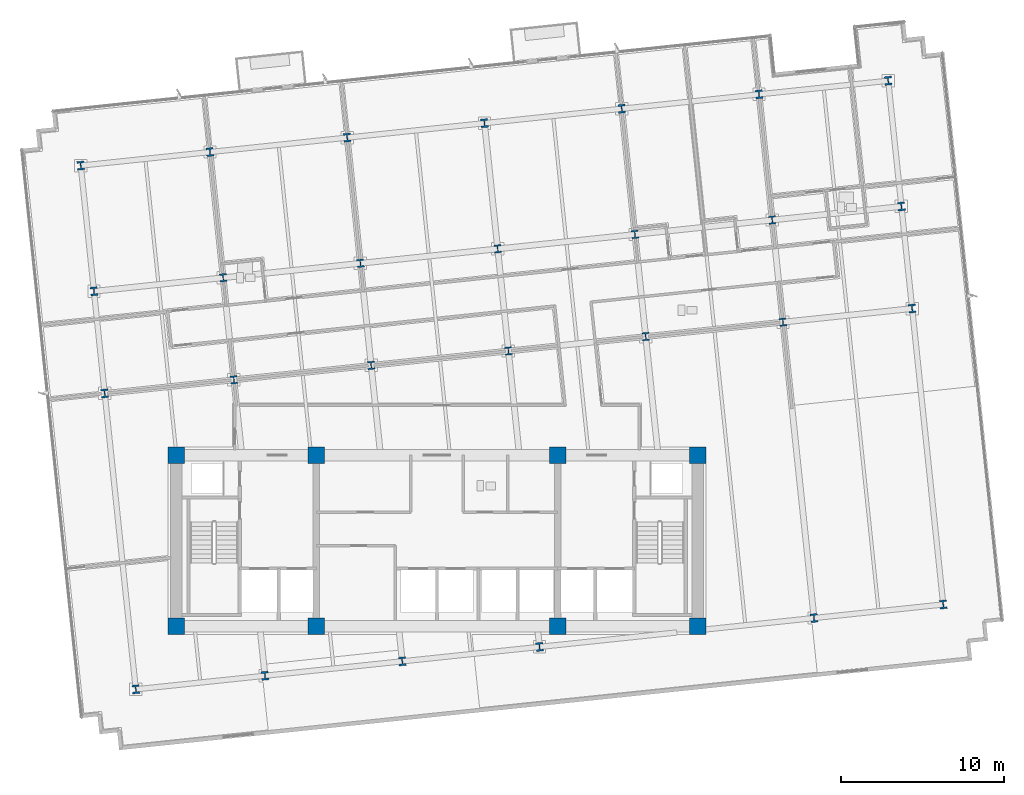
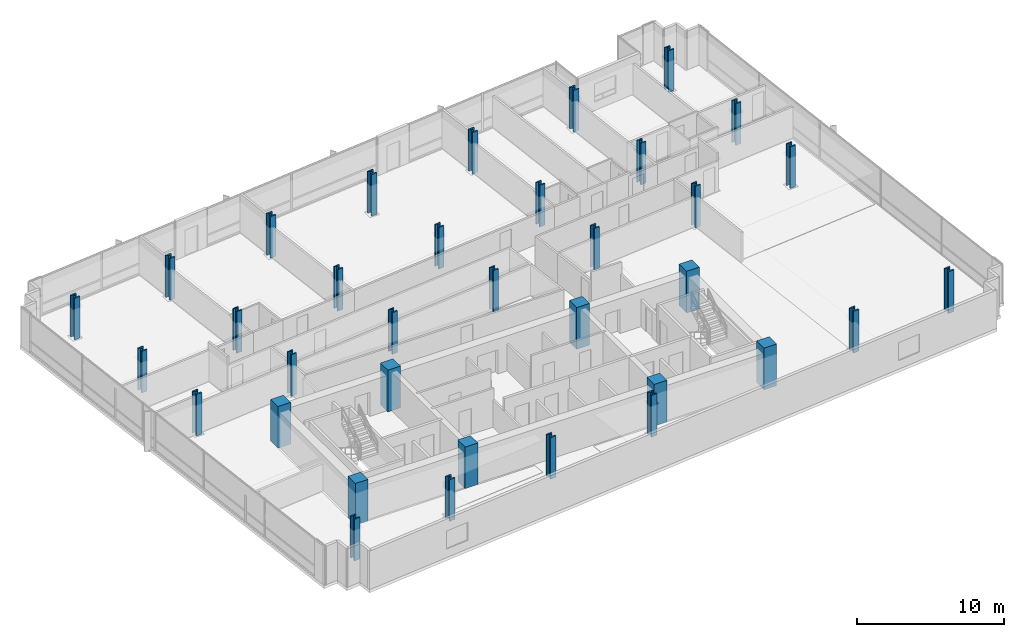
# One storey, part 1 of 20: 35 columns.
"""IFC4 building model written with IfcOpenShell, lengths in metres."""

from ifc_helpers import new_model, si_unit, direction, frame, origin, origin_2d, place, context, subcontext, project, spatial, rectangle, i_section, extrude, material, material_profile, profile_set, type_object, element, save


model = new_model("IFC4")

# Units and contexts
model_context = context("Model", 3, precision=1e-05, world=origin(), true_north=direction((0.0, 1.0)))
body_context = subcontext(model_context, "Body", "Model", "MODEL_VIEW")
ifc_project = project(units=[si_unit("LENGTHUNIT", "METRE"), si_unit("AREAUNIT", "SQUARE_METRE"), si_unit("VOLUMEUNIT", "CUBIC_METRE"), si_unit("PLANEANGLEUNIT", "RADIAN"), si_unit("MASSUNIT", "GRAM", prefix="KILO")], contexts=[model_context])

# Site, building, storey
site_placement = place(None, origin())
site = spatial("IfcSite", under=ifc_project, at=site_placement, CompositionType="ELEMENT")
building_placement = place(site_placement, origin())
building = spatial("IfcBuilding", under=site, at=building_placement, Name="Solmavex Isthmus Hotel", CompositionType="ELEMENT")
storey_placement = place(building_placement, frame((0.0, 0.0, 109.800048828125)))
storey = spatial("IfcBuildingStorey", under=building, at=storey_placement, Name="L29", CompositionType="ELEMENT", Elevation=109.800048828125)

# Columns
ifc_material_1 = material(Name="Concrete C60/75", Category="concrete")
ifc_material_profile_1 = material_profile(ifc_material_1, rectangle(XDim=1.0, YDim=1.0, at=origin_2d()), Name="RC1000X1000")
ifc_profile_set_1 = profile_set([ifc_material_profile_1], Name="Concrete C60/75")
column_type_1 = type_object("IfcColumnType", Name="COL-CC-1000", PredefinedType="COLUMN", material=ifc_profile_set_1)
for number, where, z_axis, x_axis, name in (
    (1, (-16.0, -13.0, 0.0), (0.0, 0.0, 1.0), (1.0, 0.0, 0.0), "Core Pilaster CC-SW L29"),
    (2, (-7.39990234375, -13.0, 0.0), (0.0, 0.0, 1.0), (1.0, 0.0, 0.0), "Core Pilaster CC-S1 L29"),
    (3, (7.39990234375, -13.0, 0.0), (0.0, 0.0, 1.0), (1.0, 0.0, 0.0), "Core Pilaster CC-S2 L29"),
    (4, (16.0, -13.0, 0.0), (0.0, 0.0, 1.0), (1.0, 0.0, 0.0), "Core Pilaster CC-SE L29"),
    (5, (-16.0, -2.5, 0.0), (0.0, 0.0, 1.0), (1.0, 0.0, 0.0), "Core Pilaster CC-NW L29"),
    (6, (-7.39990234375, -2.5, 0.0), (0.0, 0.0, 1.0), (1.0, 0.0, 0.0), "Core Pilaster CC-N1 L29"),
    (7, (7.39990234375, -2.5, 0.0), (0.0, 0.0, 1.0), (1.0, 0.0, 0.0), "Core Pilaster CC-N2 L29"),
    (8, (16.0, -2.5, 0.0), (0.0, 0.0, 1.0), (1.0, 0.0, 0.0), "Core Pilaster CC-NE L29"),
):
    element("IfcColumn", number, at=place(storey_placement, frame(where, z_axis=z_axis, x_axis=x_axis)), inside=storey, type_object=column_type_1, Name=name, PredefinedType="COLUMN", context=body_context, shape_type="SweptSolid", body=[
        extrude(rectangle(XDim=1.0, YDim=1.0, at=origin_2d()), origin(), (0.0, 0.0, 1.0), 3.449951171875),
    ])
ifc_material_2 = material(Name="Steel ASTM A913 Grade 65", Category="steel")
ifc_material_profile_2 = material_profile(ifc_material_2, i_section(OverallWidth=0.43212890625, OverallDepth=0.497802734375, WebThickness=0.0556640625, FlangeThickness=0.0888671875, FilletRadius=0.030517578125, at=origin_2d()), Name="W14X500")
ifc_profile_set_2 = profile_set([ifc_material_profile_2], Name="Steel ASTM A913 Grade 65")
column_type_2 = type_object("IfcColumnType", Name="COL-SC-W14X500", PredefinedType="COLUMN", material=ifc_profile_set_2)
for number, where, z_axis, x_axis, name in (
    (9, (-12.458740234375, 2.11865234375, 0.0), (0.0, 0.0, 1.0), (0.994521895368, 0.104528463268, 0.0), "Tower Column B2-U2V2 L29"),
    (10, (-13.1171875, 8.382080078125, 0.0), (0.0, 0.0, 1.0), (0.994521895368, 0.104528463268, 0.0), "Tower Column B2-U2V3 L29"),
    (11, (-4.0390625, 3.003662109375, 0.0), (0.0, 0.0, 1.0), (0.994521895368, 0.104528463268, 0.0), "Tower Column B2-U3V2 L29"),
    (12, (-4.697509765625, 9.26708984375, 0.0), (0.0, 0.0, 1.0), (0.994521895368, 0.104528463268, 0.0), "Tower Column B2-U3V3 L29"),
    (13, (4.38037109375, 3.888427734375, 0.0), (0.0, 0.0, 1.0), (0.994521895368, 0.104528463268, 0.0), "Tower Column B2-U4V2 L29"),
    (14, (3.72216796875, 10.152099609375, 0.0), (0.0, 0.0, 1.0), (0.994521895368, 0.104528463268, 0.0), "Tower Column B2-U4V3 L29"),
    (15, (12.800048828125, 4.7734375, 0.0), (0.0, 0.0, 1.0), (0.994521895368, 0.104528463268, 0.0), "Tower Column B2-U5V2 L29"),
    (16, (12.141845703125, 11.036865234375, 0.0), (0.0, 0.0, 1.0), (0.994521895368, 0.104528463268, 0.0), "Tower Column B2-U5V3 L29"),
    (17, (21.2197265625, 5.658447265625, 0.0), (0.0, 0.0, 1.0), (0.994521895368, 0.104528463268, 0.0), "Tower Column B2-U6V2 L29"),
    (18, (20.5615234375, 11.921875, 0.0), (0.0, 0.0, 1.0), (0.994521895368, 0.104528463268, 0.0), "Tower Column B2-U6V3 L29"),
):
    element("IfcColumn", number, at=place(storey_placement, frame(where, z_axis=z_axis, x_axis=x_axis)), inside=storey, type_object=column_type_2, Name=name, PredefinedType="COLUMN", context=body_context, shape_type="SweptSolid", body=[
        extrude(i_section(OverallWidth=0.43212890625, OverallDepth=0.497802734375, WebThickness=0.0556640625, FlangeThickness=0.0888671875, FilletRadius=0.030517578125, at=origin_2d()), origin(), (0.0, 0.0, 1.0), 3.449951171875),
    ])
ifc_material_profile_3 = material_profile(ifc_material_2, i_section(OverallWidth=0.442138671875, OverallDepth=0.531494140625, WebThickness=0.06591796875, FlangeThickness=0.105712890625, FilletRadius=0.030517578125, at=origin_2d()), Name="W14X605")
ifc_profile_set_3 = profile_set([ifc_material_profile_3], Name="Steel ASTM A913 Grade 65")
column_type_3 = type_object("IfcColumnType", Name="COL-SC-W14X605", PredefinedType="COLUMN", material=ifc_profile_set_3)
for number, where, z_axis, x_axis, name in (
    (19, (-18.475341796875, -16.8642578125, 0.0), (0.0, 0.0, 1.0), (0.994521895368, 0.104528463268, 0.0), "Tower Column B2-U1V1 L29"),
    (20, (-20.383056640625, 1.28564453125, 0.0), (0.0, 0.0, 1.0), (0.994521895368, 0.104528463268, 0.0), "Tower Column B2-U1V2 L29"),
    (21, (-21.04150390625, 7.54931640625, 0.0), (0.0, 0.0, 1.0), (0.994521895368, 0.104528463268, 0.0), "Tower Column B2-U1V3 L29"),
    (22, (-21.851806640625, 15.2587890625, 0.0), (0.0, 0.0, 1.0), (0.994521895368, 0.104528463268, 0.0), "Tower Column B2-U1V4 L29"),
    (23, (-10.551025390625, -16.031494140625, 0.0), (0.0, 0.0, 1.0), (0.994521895368, 0.104528463268, 0.0), "Tower Column B2-U2V1 L29"),
    (24, (-13.927490234375, 16.091552734375, 0.0), (0.0, 0.0, 1.0), (0.994521895368, 0.104528463268, 0.0), "Tower Column B2-U2V4 L29"),
    (25, (-2.131591796875, -15.146484375, 0.0), (0.0, 0.0, 1.0), (0.994521895368, 0.104528463268, 0.0), "Tower Column B2-U3V1 L29"),
    (26, (-5.5078125, 16.9765625, 0.0), (0.0, 0.0, 1.0), (0.994521895368, 0.104528463268, 0.0), "Tower Column B2-U3V4 L29"),
    (27, (6.2880859375, -14.261474609375, 0.0), (0.0, 0.0, 1.0), (0.994521895368, 0.104528463268, 0.0), "Tower Column B2-U4V1 L29"),
    (28, (2.911865234375, 17.861572265625, 0.0), (0.0, 0.0, 1.0), (0.994521895368, 0.104528463268, 0.0), "Tower Column B2-U4V4 L29"),
    (29, (11.33154296875, 18.74658203125, 0.0), (0.0, 0.0, 1.0), (0.994521895368, 0.104528463268, 0.0), "Tower Column B2-U5V4 L29"),
    (30, (23.12744140625, -12.49169921875, 0.0), (0.0, 0.0, 1.0), (0.994521895368, 0.104528463268, 0.0), "Tower Column B2-U6V1 L29"),
    (31, (19.751220703125, 19.63134765625, 0.0), (0.0, 0.0, 1.0), (0.994521895368, 0.104528463268, 0.0), "Tower Column B2-U6V4 L29"),
    (32, (31.0517578125, -11.65869140625, 0.0), (0.0, 0.0, 1.0), (0.994521895368, 0.104528463268, 0.0), "Tower Column B2-U7V1 L29"),
    (33, (29.14404296875, 6.4912109375, 0.0), (0.0, 0.0, 1.0), (0.994521895368, 0.104528463268, 0.0), "Tower Column B2-U7V2 L29"),
    (34, (28.48583984375, 12.754638671875, 0.0), (0.0, 0.0, 1.0), (0.994521895368, 0.104528463268, 0.0), "Tower Column B2-U7V3 L29"),
    (35, (27.675537109375, 20.46435546875, 0.0), (0.0, 0.0, 1.0), (0.994521895368, 0.104528463268, 0.0), "Tower Column B2-U7V4 L29"),
):
    element("IfcColumn", number, at=place(storey_placement, frame(where, z_axis=z_axis, x_axis=x_axis)), inside=storey, type_object=column_type_3, Name=name, PredefinedType="COLUMN", context=body_context, shape_type="SweptSolid", body=[
        extrude(i_section(OverallWidth=0.442138671875, OverallDepth=0.531494140625, WebThickness=0.06591796875, FlangeThickness=0.105712890625, FilletRadius=0.030517578125, at=origin_2d()), origin(), (0.0, 0.0, 1.0), 3.449951171875),
    ])

save(model, "model.ifc")
